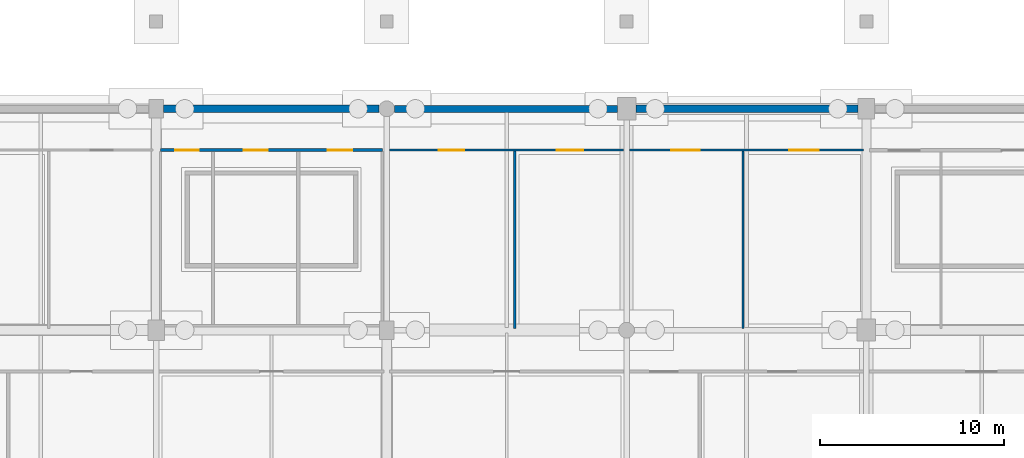
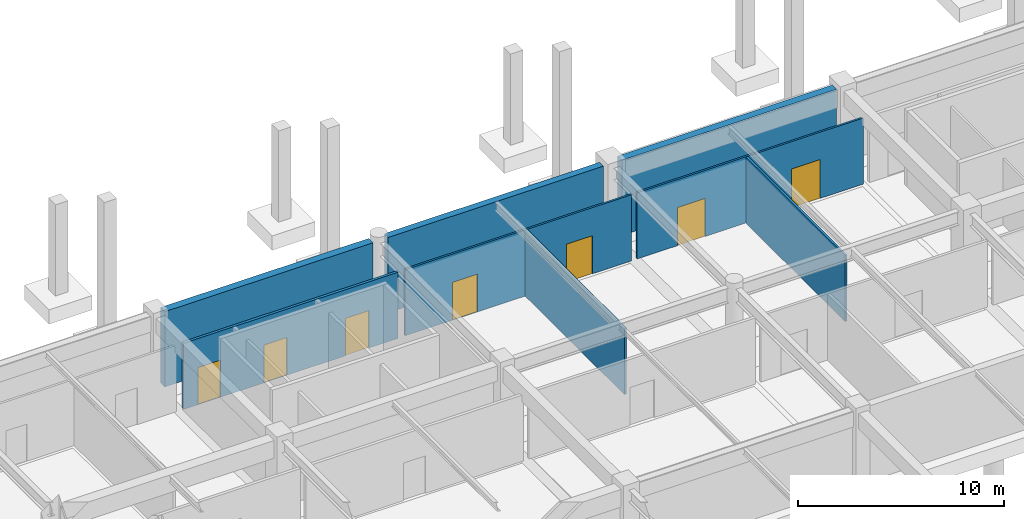
# One storey, part 26 of 56: 8 walls, 7 doors, 7 openings.
"""IFC4 building model written with IfcOpenShell, lengths in metres."""

from ifc_helpers import new_model, si_unit, direction, frame, frame_2d, origin, place, context, subcontext, project, spatial, rectangle, extrude, material, layer, layer_set, type_object, element, fill, save


model = new_model("IFC4")

# Units and contexts
model_context = context("Model", 3, precision=1e-05, world=origin(), true_north=direction((0.0, 1.0)))
body_context = subcontext(model_context, "Body", "Model", "MODEL_VIEW")
ifc_project = project(units=[si_unit("LENGTHUNIT", "METRE"), si_unit("AREAUNIT", "SQUARE_METRE"), si_unit("VOLUMEUNIT", "CUBIC_METRE"), si_unit("PLANEANGLEUNIT", "RADIAN"), si_unit("MASSUNIT", "GRAM", prefix="KILO")], contexts=[model_context])

# Site, building, storey
site_placement = place(None, origin())
site = spatial("IfcSite", under=ifc_project, at=site_placement, CompositionType="ELEMENT")
building_placement = place(site_placement, origin())
building = spatial("IfcBuilding", under=site, at=building_placement, Name="Kazenohara Klinker Stadium", CompositionType="ELEMENT")
storey_placement = place(building_placement, frame((0.0, 0.0, -4.800048828125)))
storey = spatial("IfcBuildingStorey", under=building, at=storey_placement, Name="B01", CompositionType="ELEMENT", Elevation=-4.800048828125)

# Walls
ifc_material_1 = material(Name="Concrete C40/50", Category="concrete")
ifc_layer_1 = layer(ifc_material_1, 0.3798828125)
ifc_layer_set_1 = layer_set([ifc_layer_1], Name="Concrete C40/50")
wall_type_1 = type_object("IfcWallType", Name="WAL-B01-RET380", PredefinedType="STANDARD", material=ifc_layer_set_1)
wall_1_placement = place(storey_placement, frame((99.428955078125, 36.0, 0.0), z_axis=(0.0, 0.0, 1.0), x_axis=(1.0, 0.0, 0.0)))
element("IfcWall", 1, at=wall_1_placement, inside=storey, type_object=wall_type_1, Name="Basement perimeter retaining wall RW02 X-08-03", PredefinedType="STANDARD", context=body_context, shape_type="SweptSolid", body=[
    extrude(rectangle(XDim=12.067138671875, YDim=0.3798828125, at=frame_2d((6.03369140625, 0.0))), origin(), (0.0, 0.0, 1.0), 4.4599609375),
])
ifc_layer_2 = layer(ifc_material_1, 0.419921875)
ifc_layer_set_2 = layer_set([ifc_layer_2], Name="Concrete C40/50")
wall_type_2 = type_object("IfcWallType", Name="WAL-B01-RET420", PredefinedType="STANDARD", material=ifc_layer_set_2)
wall_2_placement = place(storey_placement, frame((86.904052734375, 36.0, 0.0), z_axis=(0.0, 0.0, 1.0), x_axis=(1.0, 0.0, 0.0)))
element("IfcWall", 2, at=wall_2_placement, inside=storey, type_object=wall_type_2, Name="Basement perimeter retaining wall RW01 X-07-03", PredefinedType="STANDARD", context=body_context, shape_type="SweptSolid", body=[
    extrude(rectangle(XDim=11.6669921875, YDim=0.419921875, at=frame_2d((5.83349609375, 0.0))), origin(), (0.0, 0.0, 1.0), 4.4599609375),
])
wall_3_placement = place(storey_placement, frame((112.50390625, 36.0, 0.0), z_axis=(0.0, 0.0, 1.0), x_axis=(1.0, 0.0, 0.0)))
element("IfcWall", 3, at=wall_3_placement, inside=storey, type_object=wall_type_2, Name="Basement perimeter retaining wall RW01 X-09-03", PredefinedType="STANDARD", context=body_context, shape_type="SweptSolid", body=[
    extrude(rectangle(XDim=12.0419921875, YDim=0.419921875, at=frame_2d((6.02099609375, 0.0))), origin(), (0.0, 0.0, 1.0), 4.4599609375),
])

# Wall, openings, doors
ifc_material_2 = material(Name="Fire-rated gypsum board on acoustic studs", Category="gypsum")
ifc_layer_3 = layer(ifc_material_2, 0.110107421875)
ifc_layer_set_3 = layer_set([ifc_layer_3], Name="Fire-rated gypsum board on acoustic studs")
wall_type_3 = type_object("IfcWallType", Name="WAL-INT-P110", PredefinedType="PARTITIONING", material=ifc_layer_set_3)
wall_4_placement = place(storey_placement, frame((99.159912109375, 33.760009765625, 0.0), z_axis=(0.0, 0.0, 1.0), x_axis=(1.0, 0.0, 0.0)))
wall_4 = element("IfcWall", 4, at=wall_4_placement, inside=storey, type_object=wall_type_3, Name="Interior partition wall PT01 SPC-B01-08-02-1-1", PredefinedType="PARTITIONING", context=body_context, shape_type="SweptSolid", body=[
    extrude(rectangle(XDim=12.68017578125, YDim=0.110107421875, at=frame_2d((6.340087890625, 0.0))), origin(), (0.0, 0.0, 1.0), 3.920166015625),
])
opening_1_placement = place(wall_4_placement, frame((4.0517578125, 0.0, 0.0), z_axis=(0.0, 0.0, 1.0), x_axis=(-1.0, 0.0, 0.0)))
opening_1 = element("IfcOpeningElement", 5, at=opening_1_placement, cuts=wall_4, Name="Opening ID18", PredefinedType="OPENING", context=body_context, shape_type="SweptSolid", body=[
    extrude(rectangle(XDim=1.39990234375, YDim=2.239990234375, at=frame_2d((0.699951171875, 1.1201171875))), frame((0.0, 0.06494140625, 0.0), z_axis=(0.0, -1.0, 0.0), x_axis=(1.0, 0.0, 0.0)), (0.0, 0.0, 1.0), 0.130126953125),
])
opening_2_placement = place(wall_4_placement, frame((10.491943359375, 0.0, 0.0), z_axis=(0.0, 0.0, 1.0), x_axis=(-1.0, 0.0, 0.0)))
opening_2 = element("IfcOpeningElement", 6, at=opening_2_placement, cuts=wall_4, Name="Opening ID19", PredefinedType="OPENING", context=body_context, shape_type="SweptSolid", body=[
    extrude(rectangle(XDim=1.43994140625, YDim=2.260009765625, at=frame_2d((0.719970703125, 1.1298828125))), frame((0.0, 0.06494140625, 0.0), z_axis=(0.0, -1.0, 0.0), x_axis=(1.0, 0.0, 0.0)), (0.0, 0.0, 1.0), 0.130126953125),
])
ifc_material_3 = material(Name="Solid-core Hokkaido oak fire door", Category="wood")
door_type_1 = type_object("IfcDoorType", Name="DR-INT-18", OperationType="NOTDEFINED", PredefinedType="DOOR", material=ifc_material_3)
door_1_placement = place(opening_1_placement, origin())
door_1 = element("IfcDoor", 7, at=door_1_placement, inside=storey, type_object=door_type_1, Name="Interior door ID18 Doping Control Medical Laboratory B01-0802A", OperationType="SINGLE_SWING_LEFT", OverallHeight=2.239990234375, OverallWidth=1.39990234375, PredefinedType="DOOR", context=body_context, shape_type="SweptSolid", body=[
    extrude(rectangle(XDim=1.39990234375, YDim=2.239990234375, at=frame_2d((0.699951171875, 1.1201171875))), frame((0.0, 0.02490234375, 0.0), z_axis=(0.0, -1.0, 0.0), x_axis=(1.0, 0.0, 0.0)), (0.0, 0.0, 1.0), 0.050048828125),
])
fill(opening_1, door_1)
ifc_material_4 = material(Name="Painted steel plant fire door", Category="steel")
door_type_2 = type_object("IfcDoorType", Name="DR-INT-19", OperationType="NOTDEFINED", PredefinedType="DOOR", material=ifc_material_4)
door_2_placement = place(opening_2_placement, origin())
door_2 = element("IfcDoor", 8, at=door_2_placement, inside=storey, type_object=door_type_2, Name="Interior door ID19 First-Team Athlete Changing Room B01-0802B", OperationType="SINGLE_SWING_RIGHT", OverallHeight=2.260009765625, OverallWidth=1.43994140625, PredefinedType="DOOR", context=body_context, shape_type="SweptSolid", body=[
    extrude(rectangle(XDim=1.43994140625, YDim=2.260009765625, at=frame_2d((0.719970703125, 1.1298828125))), frame((0.0, 0.02490234375, 0.0), z_axis=(0.0, -1.0, 0.0), x_axis=(1.0, 0.0, 0.0)), (0.0, 0.0, 1.0), 0.050048828125),
])
fill(opening_2, door_2)

wall_5_placement = place(storey_placement, frame((112.159912109375, 33.760009765625, 0.0), z_axis=(0.0, 0.0, 1.0), x_axis=(1.0, 0.0, 0.0)))
wall_5 = element("IfcWall", 9, at=wall_5_placement, inside=storey, type_object=wall_type_3, Name="Interior partition wall PT01 SPC-B01-09-02-1-1", PredefinedType="PARTITIONING", context=body_context, shape_type="SweptSolid", body=[
    extrude(rectangle(XDim=12.68017578125, YDim=0.110107421875, at=frame_2d((6.340087890625, 0.0))), origin(), (0.0, 0.0, 1.0), 3.920166015625),
])
opening_3_placement = place(wall_5_placement, frame((3.81494140625, 0.0, 0.0), z_axis=(0.0, 0.0, 1.0), x_axis=(-1.0, 0.0, 0.0)))
opening_3 = element("IfcOpeningElement", 10, at=opening_3_placement, cuts=wall_5, Name="Opening ID22", PredefinedType="OPENING", context=body_context, shape_type="SweptSolid", body=[
    extrude(rectangle(XDim=1.56005859375, YDim=2.260009765625, at=frame_2d((0.780029296875, 1.1298828125))), frame((0.0, 0.06494140625, 0.0), z_axis=(0.0, -1.0, 0.0), x_axis=(1.0, 0.0, 0.0)), (0.0, 0.0, 1.0), 0.130126953125),
])
opening_4_placement = place(wall_5_placement, frame((10.2548828125, 0.0, 0.0), z_axis=(0.0, 0.0, 1.0), x_axis=(-1.0, 0.0, 0.0)))
opening_4 = element("IfcOpeningElement", 11, at=opening_4_placement, cuts=wall_5, Name="Opening ID23", PredefinedType="OPENING", context=body_context, shape_type="SweptSolid", body=[
    extrude(rectangle(XDim=1.60009765625, YDim=2.300048828125, at=frame_2d((0.800048828125, 1.14990234375))), frame((0.0, 0.06494140625, 0.0), z_axis=(0.0, -1.0, 0.0), x_axis=(1.0, 0.0, 0.0)), (0.0, 0.0, 1.0), 0.130126953125),
])
door_type_3 = type_object("IfcDoorType", Name="DR-INT-22", OperationType="NOTDEFINED", PredefinedType="DOOR", material=ifc_material_4)
door_3_placement = place(opening_3_placement, origin())
door_3 = element("IfcDoor", 12, at=door_3_placement, inside=storey, type_object=door_type_3, Name="Interior door ID22 Match Officials Dressing Room B01-0902A", OperationType="SINGLE_SWING_LEFT", OverallHeight=2.260009765625, OverallWidth=1.56005859375, PredefinedType="DOOR", context=body_context, shape_type="SweptSolid", body=[
    extrude(rectangle(XDim=1.56005859375, YDim=2.260009765625, at=frame_2d((0.780029296875, 1.1298828125))), frame((0.0, 0.02490234375, 0.0), z_axis=(0.0, -1.0, 0.0), x_axis=(1.0, 0.0, 0.0)), (0.0, 0.0, 1.0), 0.050048828125),
])
fill(opening_3, door_3)
door_type_4 = type_object("IfcDoorType", Name="DR-INT-23", OperationType="NOTDEFINED", PredefinedType="DOOR", material=ifc_material_4)
door_4_placement = place(opening_4_placement, origin())
door_4 = element("IfcDoor", 13, at=door_4_placement, inside=storey, type_object=door_type_4, Name="Interior door ID23 Mixed Zone Broadcast Interview Studio B01-0902B", OperationType="SINGLE_SWING_RIGHT", OverallHeight=2.300048828125, OverallWidth=1.60009765625, PredefinedType="DOOR", context=body_context, shape_type="SweptSolid", body=[
    extrude(rectangle(XDim=1.60009765625, YDim=2.300048828125, at=frame_2d((0.800048828125, 1.14990234375))), frame((0.0, 0.02490234375, 0.0), z_axis=(0.0, -1.0, 0.0), x_axis=(1.0, 0.0, 0.0)), (0.0, 0.0, 1.0), 0.050048828125),
])
fill(opening_4, door_4)

# Walls
ifc_layer_4 = layer(ifc_material_2, 0.1201171875)
ifc_layer_set_4 = layer_set([ifc_layer_4], Name="Fire-rated gypsum board on acoustic studs")
wall_type_4 = type_object("IfcWallType", Name="WAL-INT-P120", PredefinedType="PARTITIONING", material=ifc_layer_set_4)
for number, where, z_axis, x_axis, name in (
    (14, (105.94384765625, 24.080078125, 0.0), (0.0, 0.0, 1.0), (0.0, 1.0, 0.0), "Interior partition wall PT02 SPC-B01-08-02-1-2"),
    (15, (118.309814453125, 24.080078125, 0.0), (0.0, 0.0, 1.0), (0.0, 1.0, 0.0), "Interior partition wall PT02 SPC-B01-09-02-1-2"),
):
    element("IfcWall", number, at=place(storey_placement, frame(where, z_axis=z_axis, x_axis=x_axis)), inside=storey, type_object=wall_type_4, Name=name, PredefinedType="PARTITIONING", context=body_context, shape_type="SweptSolid", body=[
        extrude(rectangle(XDim=9.619873046875, YDim=0.1201171875, at=frame_2d((4.81005859375, 0.0))), origin(), (0.0, 0.0, 1.0), 3.920166015625),
    ])

# Wall, openings, doors
ifc_layer_5 = layer(ifc_material_2, 0.14990234375)
ifc_layer_set_5 = layer_set([ifc_layer_5], Name="Fire-rated gypsum board on acoustic studs")
wall_type_5 = type_object("IfcWallType", Name="WAL-INT-P150", PredefinedType="PARTITIONING", material=ifc_layer_set_5)
wall_6_placement = place(storey_placement, frame((86.739990234375, 33.760009765625, 0.0), z_axis=(0.0, 0.0, 1.0), x_axis=(1.0, 0.0, 0.0)))
wall_6 = element("IfcWall", 16, at=wall_6_placement, inside=storey, type_object=wall_type_5, Name="Interior partition wall PT04 SPC-B01-07-02-1-4", PredefinedType="PARTITIONING", context=body_context, shape_type="SweptSolid", body=[
    extrude(rectangle(XDim=12.02001953125, YDim=0.14990234375, at=frame_2d((6.010009765625, 0.0))), origin(), (0.0, 0.0, 1.0), 3.920166015625),
])
opening_5_placement = place(wall_6_placement, frame((2.066162109375, 0.0, 0.0), z_axis=(0.0, 0.0, 1.0), x_axis=(-1.0, 0.0, 0.0)))
opening_5 = element("IfcOpeningElement", 17, at=opening_5_placement, cuts=wall_6, Name="Opening ID14", PredefinedType="OPENING", context=body_context, shape_type="SweptSolid", body=[
    extrude(rectangle(XDim=1.27001953125, YDim=2.199951171875, at=frame_2d((0.635009765625, 1.10009765625))), frame((0.0, 0.0849609375, 0.0), z_axis=(0.0, -1.0, 0.0), x_axis=(1.0, 0.0, 0.0)), (0.0, 0.0, 1.0), 0.169921875),
])
opening_6_placement = place(wall_6_placement, frame((5.8017578125, 0.0, 0.0), z_axis=(0.0, 0.0, 1.0), x_axis=(-1.0, 0.0, 0.0)))
opening_6 = element("IfcOpeningElement", 18, at=opening_6_placement, cuts=wall_6, Name="Opening ID15", PredefinedType="OPENING", context=body_context, shape_type="SweptSolid", body=[
    extrude(rectangle(XDim=1.300048828125, YDim=2.239990234375, at=frame_2d((0.64990234375, 1.1201171875))), frame((0.0, 0.0849609375, 0.0), z_axis=(0.0, -1.0, 0.0), x_axis=(1.0, 0.0, 0.0)), (0.0, 0.0, 1.0), 0.169921875),
])
opening_7_placement = place(wall_6_placement, frame((10.395751953125, 0.0, 0.0), z_axis=(0.0, 0.0, 1.0), x_axis=(-1.0, 0.0, 0.0)))
opening_7 = element("IfcOpeningElement", 19, at=opening_7_placement, cuts=wall_6, Name="Opening ID16", PredefinedType="OPENING", context=body_context, shape_type="SweptSolid", body=[
    extrude(rectangle(XDim=1.330078125, YDim=2.219970703125, at=frame_2d((0.6650390625, 1.10986328125))), frame((0.0, 0.0849609375, 0.0), z_axis=(0.0, -1.0, 0.0), x_axis=(1.0, 0.0, 0.0)), (0.0, 0.0, 1.0), 0.169921875),
])
door_type_5 = type_object("IfcDoorType", Name="DR-INT-14", OperationType="NOTDEFINED", PredefinedType="DOOR", material=ifc_material_3)
door_5_placement = place(opening_5_placement, origin())
door_5 = element("IfcDoor", 20, at=door_5_placement, inside=storey, type_object=door_type_5, Name="Interior door ID14 Accessible Water Closet Restroom B01-0702A", OperationType="SINGLE_SWING_LEFT", OverallHeight=2.199951171875, OverallWidth=1.27001953125, PredefinedType="DOOR", context=body_context, shape_type="SweptSolid", body=[
    extrude(rectangle(XDim=1.27001953125, YDim=2.199951171875, at=frame_2d((0.635009765625, 1.10009765625))), frame((0.0, 0.02490234375, 0.0), z_axis=(0.0, -1.0, 0.0), x_axis=(1.0, 0.0, 0.0)), (0.0, 0.0, 1.0), 0.050048828125),
])
fill(opening_5, door_5)
door_type_6 = type_object("IfcDoorType", Name="DR-INT-15", OperationType="NOTDEFINED", PredefinedType="DOOR", material=ifc_material_3)
door_6_placement = place(opening_6_placement, origin())
door_6 = element("IfcDoor", 21, at=door_6_placement, inside=storey, type_object=door_type_6, Name="Interior door ID15 Water Closet Restroom Male B01-0702B", OperationType="SINGLE_SWING_RIGHT", OverallHeight=2.239990234375, OverallWidth=1.300048828125, PredefinedType="DOOR", context=body_context, shape_type="SweptSolid", body=[
    extrude(rectangle(XDim=1.300048828125, YDim=2.239990234375, at=frame_2d((0.64990234375, 1.1201171875))), frame((0.0, 0.02490234375, 0.0), z_axis=(0.0, -1.0, 0.0), x_axis=(1.0, 0.0, 0.0)), (0.0, 0.0, 1.0), 0.050048828125),
])
fill(opening_6, door_6)
door_type_7 = type_object("IfcDoorType", Name="DR-INT-16", OperationType="NOTDEFINED", PredefinedType="DOOR", material=ifc_material_3)
door_7_placement = place(opening_7_placement, origin())
door_7 = element("IfcDoor", 22, at=door_7_placement, inside=storey, type_object=door_type_7, Name="Interior door ID16 Water Closet Restroom Female B01-0702C", OperationType="SINGLE_SWING_LEFT", OverallHeight=2.219970703125, OverallWidth=1.330078125, PredefinedType="DOOR", context=body_context, shape_type="SweptSolid", body=[
    extrude(rectangle(XDim=1.330078125, YDim=2.219970703125, at=frame_2d((0.6650390625, 1.10986328125))), frame((0.0, 0.02490234375, 0.0), z_axis=(0.0, -1.0, 0.0), x_axis=(1.0, 0.0, 0.0)), (0.0, 0.0, 1.0), 0.050048828125),
])
fill(opening_7, door_7)

save(model, "model.ifc")
